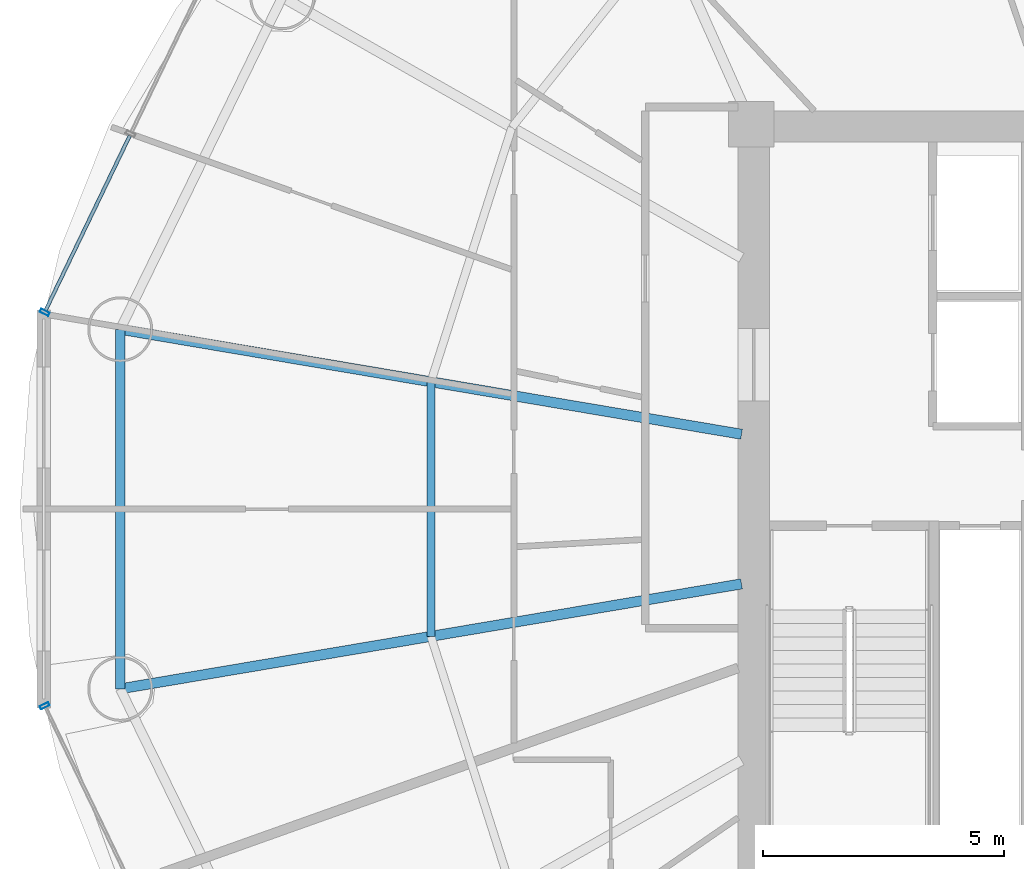
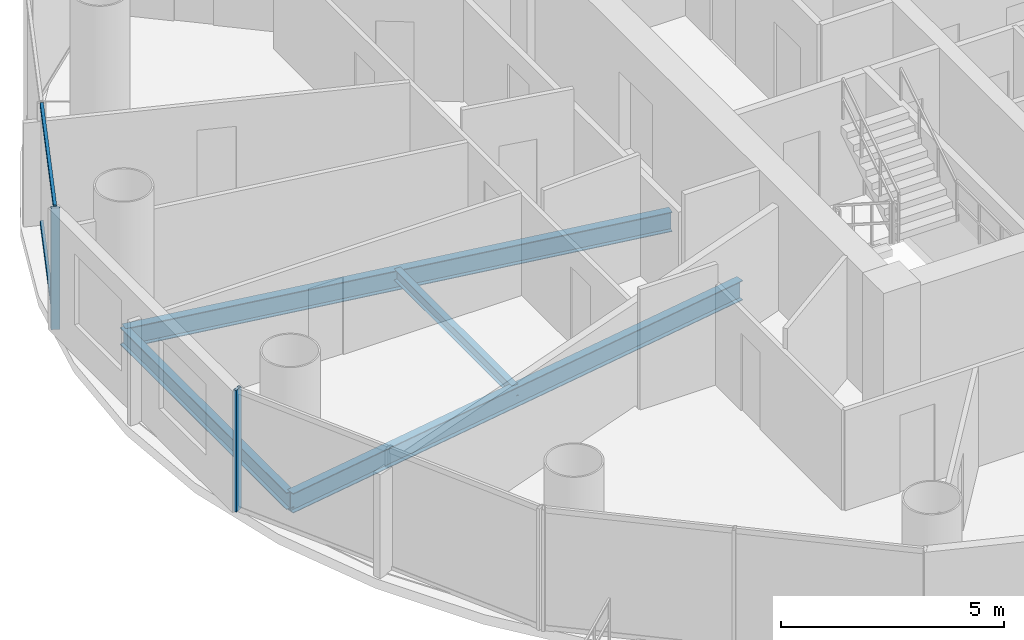
# One storey, part 6 of 27: 4 beams, 4 members, 2 elements without a shape of their own.
"""IFC4 building model written with IfcOpenShell, lengths in metres."""

from ifc_helpers import new_model, si_unit, direction, frame, origin, origin_2d, place, context, subcontext, project, spatial, hollow_rectangle, i_section, extrude, source, transform, mapped, material, material_profile, profile_set, type_object, element, aggregate, save


model = new_model("IFC4")

# Units and contexts
model_context = context("Model", 3, precision=1e-05, world=origin(), true_north=direction((-0.2419218956, 0.970295726276)))
body_context = subcontext(model_context, "Body", "Model", "MODEL_VIEW")
ifc_project = project(units=[si_unit("LENGTHUNIT", "METRE"), si_unit("AREAUNIT", "SQUARE_METRE"), si_unit("VOLUMEUNIT", "CUBIC_METRE"), si_unit("PLANEANGLEUNIT", "RADIAN"), si_unit("MASSUNIT", "GRAM", prefix="KILO")], contexts=[model_context])

# Site, building, storey
site_placement = place(None, origin())
site = spatial("IfcSite", under=ifc_project, at=site_placement, CompositionType="ELEMENT")
building_placement = place(site_placement, origin())
building = spatial("IfcBuilding", under=site, at=building_placement, Name="Cobrevalo Terracotta Tower", CompositionType="ELEMENT")
storey_placement = place(building_placement, frame((0.0, 0.0, 153.39990234375)))
storey = spatial("IfcBuildingStorey", under=building, at=storey_placement, Name="L40", CompositionType="ELEMENT", Elevation=153.39990234375)

# Beams
ifc_material_1 = material(Name="Steel S355", Category="steel")
ifc_material_profile_1 = material_profile(ifc_material_1, i_section(OverallWidth=0.2109375, OverallDepth=0.5390625, WebThickness=0.01171875, FlangeThickness=0.018798828125, at=origin_2d()), Name="W 530x109")
ifc_profile_set_1 = profile_set([ifc_material_profile_1], Name="Steel S355")
beam_type_1 = type_object("IfcBeamType", Name="Structural Beam W 530x109 (Steel S355)", PredefinedType="BEAM", material=ifc_profile_set_1)
for number, where, z_axis, x_axis, name in (
    (1, (15.88330078125, 30.535888671875, -0.539306640625), (0.986032794282, -0.166551279191, 0.0), (0.166551279191, 0.986032794282, 0.0), "L40 radial floor girder 08"),
    (2, (15.88330078125, 23.06396484375, -0.539306640625), (0.986029732232, 0.166569406417, 0.0), (-0.166569406417, 0.986029732232, 0.0), "L40 radial floor girder 09"),
):
    element("IfcBeam", number, at=place(storey_placement, frame(where, z_axis=z_axis, x_axis=x_axis)), inside=storey, type_object=beam_type_1, Name=name, PredefinedType="BEAM", context=body_context, shape_type="SweptSolid", body=[
        extrude(i_section(OverallWidth=0.2109375, OverallDepth=0.5390625, WebThickness=0.01171875, FlangeThickness=0.018798828125, at=origin_2d()), origin(), (0.0, 0.0, 1.0), 13.094482421875),
    ])
ifc_material_profile_2 = material_profile(ifc_material_1, i_section(OverallWidth=0.1650390625, OverallDepth=0.31005859375, WebThickness=0.005859375, FlangeThickness=0.009765625, at=origin_2d()), Name="W 310x38.7")
ifc_profile_set_2 = profile_set([ifc_material_profile_2], Name="Steel S355")
beam_type_2 = type_object("IfcBeamType", Name="Structural Joist W 310x38.7 (Steel S355)", PredefinedType="JOIST", material=ifc_profile_set_2)
beam_1_placement = place(storey_placement, frame((22.339111328125, 29.445556640625, -0.4248046875), z_axis=(0.0, -1.0, 0.0), x_axis=(1.0, 0.0, 0.0)))
element("IfcBeam", 3, at=beam_1_placement, inside=storey, type_object=beam_type_2, Name="L40 circumferential secondary floor joist 08", PredefinedType="JOIST", context=body_context, shape_type="SweptSolid", body=[
    extrude(i_section(OverallWidth=0.1650390625, OverallDepth=0.31005859375, WebThickness=0.005859375, FlangeThickness=0.009765625, at=origin_2d()), origin(), (0.0, 0.0, 1.0), 5.291015625),
])
ifc_material_profile_3 = material_profile(ifc_material_1, i_section(OverallWidth=0.194091796875, OverallDepth=0.468994140625, WebThickness=0.011474609375, FlangeThickness=0.0205078125, at=origin_2d()), Name="W 460x106")
ifc_profile_set_3 = profile_set([ifc_material_profile_3], Name="Steel S355")
beam_type_3 = type_object("IfcBeamType", Name="Structural Spandrel W 460x106 (Steel S355)", PredefinedType="SPANDREL", material=ifc_profile_set_3)
beam_2_placement = place(storey_placement, frame((15.88330078125, 30.535888671875, -0.50439453125), z_axis=(0.0, -1.0, 0.0), x_axis=(1.0, 0.0, 0.0)))
element("IfcBeam", 4, at=beam_2_placement, inside=storey, type_object=beam_type_3, Name="L40 perimeter ring spandrel 08", PredefinedType="SPANDREL", context=body_context, shape_type="SweptSolid", body=[
    extrude(i_section(OverallWidth=0.194091796875, OverallDepth=0.468994140625, WebThickness=0.011474609375, FlangeThickness=0.0205078125, at=origin_2d()), origin(), (0.0, 0.0, 1.0), 7.471923828125),
])

# Curtain wall, member
ifc_material_2 = material(Name="Anodized aluminium", Category="aluminium")
curtain_wall_type = type_object("IfcCurtainWallType", Name="Mid-tower high-wind unitised curtain wall CW-U2", PredefinedType="NOTDEFINED", material=ifc_material_2)
curtain_wall_1_placement = place(storey_placement, origin())
curtain_wall_1 = element("IfcCurtainWall", 5, at=curtain_wall_1_placement, inside=storey, type_object=curtain_wall_type, Name="L40 curtain wall CW-L40-S07", PredefinedType="NOTDEFINED")
ifc_material_profile_4 = material_profile(ifc_material_2, hollow_rectangle(XDim=0.074951171875, YDim=0.199951171875, WallThickness=0.0048828125, at=origin_2d()), Name="CWM 75x200")
ifc_profile_set_4 = profile_set([ifc_material_profile_4], Name="Anodized aluminium")
member_type_1 = type_object("IfcMemberType", Name="Lower/mid tower unitised mullion 75x200", PredefinedType="MULLION", material=ifc_profile_set_4)
shared_shape_1 = source(origin(), body_context, "Body", "SweptSolid", [
    extrude(hollow_rectangle(XDim=0.074951171875, YDim=0.199951171875, WallThickness=0.0048828125, at=origin_2d()), origin(), (0.0, 0.0, 1.0), 3.330078125),
])
member_1_placement = place(storey_placement, frame((14.311767578125, 30.887939453125, 0.0), z_axis=(0.0, 0.0, 1.0), x_axis=(-0.434209440271, -0.900811945957, 0.0)))
member_1 = element("IfcMember", 6, at=member_1_placement, type_object=member_type_1, Name="CW-L40-S07 vertical mullion 03", PredefinedType="MULLION", context=body_context, shape_type="MappedRepresentation", body=[
    mapped(shared_shape_1, transform((0.0, 0.0, 0.0), scale=1.0)),
])

curtain_wall_2_placement = place(storey_placement, origin())
curtain_wall_2 = element("IfcCurtainWall", 7, at=curtain_wall_2_placement, inside=storey, type_object=curtain_wall_type, Name="L40 curtain wall CW-L40-S09", PredefinedType="NOTDEFINED")
member_2_placement = place(storey_placement, frame((14.311767578125, 22.7119140625, 0.0), z_axis=(0.0, 0.0, 1.0), x_axis=(0.434209440271, -0.900811945957, 0.0)))
member_2 = element("IfcMember", 8, at=member_2_placement, type_object=member_type_1, Name="CW-L40-S09 vertical mullion 01", PredefinedType="MULLION", context=body_context, shape_type="MappedRepresentation", body=[
    mapped(shared_shape_1, transform((0.0, 0.0, 0.0), scale=1.0)),
])
aggregate(curtain_wall_2, [member_2])

# Member
ifc_material_profile_5 = material_profile(ifc_material_2, hollow_rectangle(XDim=0.074951171875, YDim=0.14990234375, WallThickness=0.00439453125, at=origin_2d()), Name="CWT 75x150")
ifc_profile_set_5 = profile_set([ifc_material_profile_5], Name="Anodized aluminium")
member_type_2 = type_object("IfcMemberType", Name="Tower unitised aluminium transom 75x150", PredefinedType="USERDEFINED", material=ifc_profile_set_5)
shared_shape_2 = source(origin(), body_context, "Body", "SweptSolid", [
    extrude(hollow_rectangle(XDim=0.074951171875, YDim=0.14990234375, WallThickness=0.00439453125, at=origin_2d()), origin(), (0.0, 0.0, 1.0), 4.035888671875),
])
member_3_placement = place(storey_placement, frame((16.08154296875, 34.5595703125, 0.050048828125), z_axis=(-0.434221176581, -0.900806288726, 0.0), x_axis=(0.900806288726, -0.434221176581, 0.0)))
member_3 = element("IfcMember", 9, at=member_3_placement, type_object=member_type_2, Name="CW-L40-S07 transom B02-T1", ObjectType="TRANSOM", PredefinedType="USERDEFINED", context=body_context, shape_type="MappedRepresentation", body=[
    mapped(shared_shape_2, transform((0.0, 0.0, 0.0), scale=1.0)),
])

member_4_placement = place(storey_placement, frame((16.08154296875, 34.5595703125, 3.280029296875), z_axis=(-0.434221176581, -0.900806288726, 0.0), x_axis=(0.900806288726, -0.434221176581, 0.0)))
member_4 = element("IfcMember", 10, at=member_4_placement, type_object=member_type_2, Name="CW-L40-S07 transom B02-T2", ObjectType="TRANSOM", PredefinedType="USERDEFINED", context=body_context, shape_type="MappedRepresentation", body=[
    mapped(shared_shape_2, transform((0.0, 0.0, 0.0), scale=1.0)),
])

aggregate(curtain_wall_1, [member_1, member_3, member_4])

save(model, "model.ifc")
